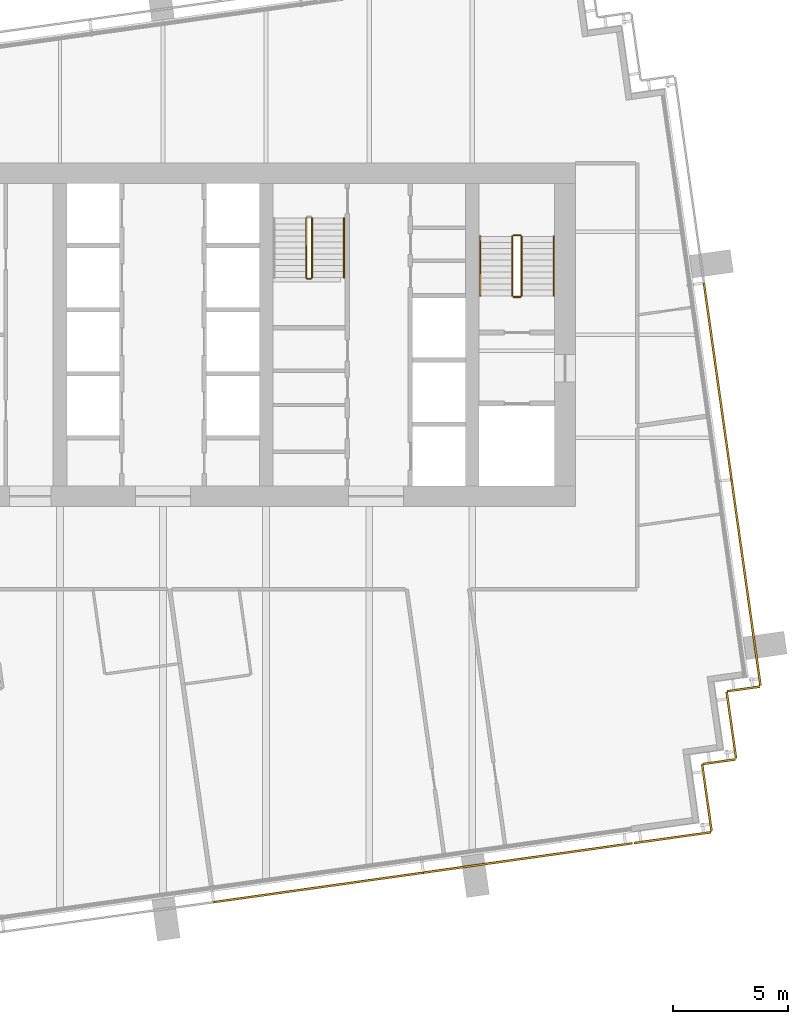
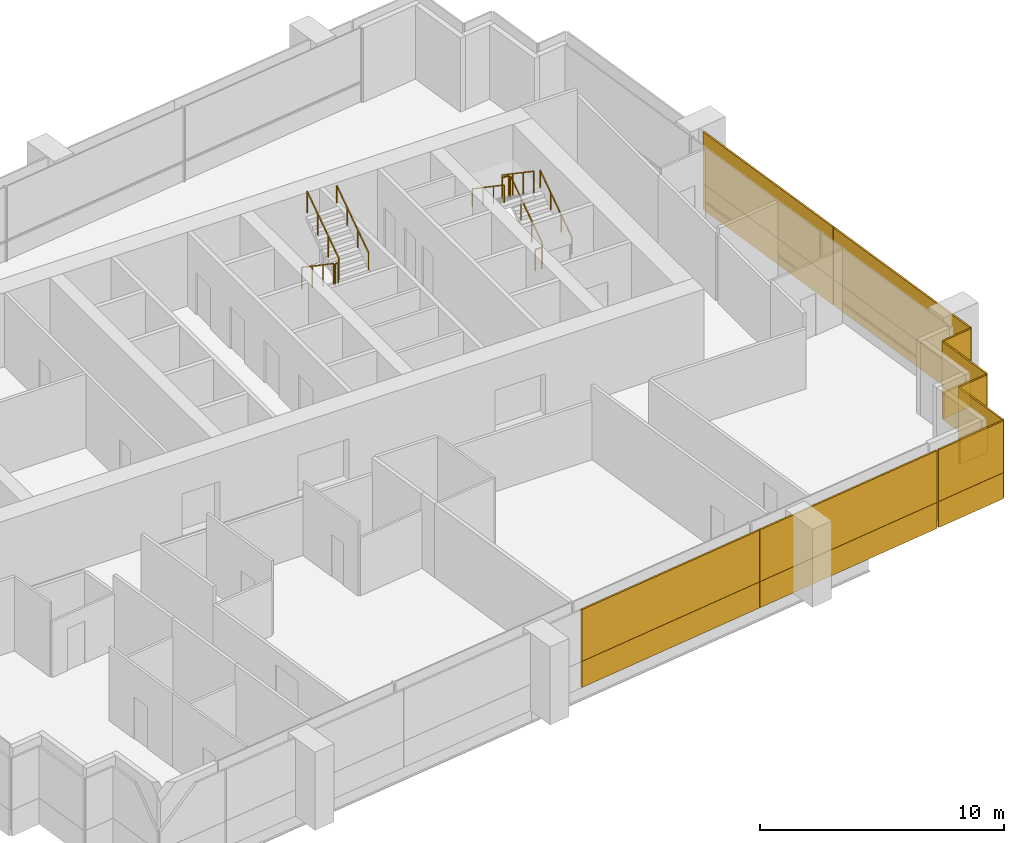
# One storey, part 13 of 15: 18 coverings, 10 railings.
"""IFC4 building model written with IfcOpenShell, lengths in metres."""

from ifc_helpers import new_model, si_unit, direction, frame, origin, origin_2d, place, context, subcontext, project, spatial, rectangle, extrude, material, layer, layer_set, type_object, element, save


model = new_model("IFC4")

# Units and contexts
model_context = context("Model", 3, precision=1e-05, world=origin(), true_north=direction((0.0, 1.0)))
body_context = subcontext(model_context, "Body", "Model", "MODEL_VIEW")
ifc_project = project(units=[si_unit("LENGTHUNIT", "METRE"), si_unit("AREAUNIT", "SQUARE_METRE"), si_unit("VOLUMEUNIT", "CUBIC_METRE"), si_unit("PLANEANGLEUNIT", "RADIAN"), si_unit("MASSUNIT", "GRAM", prefix="KILO")], contexts=[model_context])

# Site, building, storey
site_placement = place(None, origin())
site = spatial("IfcSite", under=ifc_project, at=site_placement, CompositionType="ELEMENT")
building_placement = place(site_placement, origin())
building = spatial("IfcBuilding", under=site, at=building_placement, Name="Rattan Terrace Tower", CompositionType="ELEMENT")
storey_placement = place(building_placement, frame((0.0, 0.0, 274.60009765625)))
storey = spatial("IfcBuildingStorey", under=building, at=storey_placement, Name="L63", CompositionType="ELEMENT", Elevation=274.60009765625)

# Railings
ifc_material_1 = material(Name="Powder-coated steel guard", Category="steel")
railing_type_1 = type_object("IfcRailingType", Name="Core stair guard", PredefinedType="GUARDRAIL", material=ifc_material_1)
railing_1_placement = place(storey_placement, frame((15.64990234375, 1.699951171875, 0.17724609375)))
element("IfcRailing", 1, at=railing_1_placement, inside=storey, type_object=railing_type_1, Name="L63 S2 stair guard 1", PredefinedType="GUARDRAIL", context=body_context, shape_type="SweptSolid", body=[
    extrude(rectangle(XDim=0.048095703125, YDim=0.048095703125, at=origin_2d()), frame((0.0, 0.0, 1.076171875), z_axis=(0.0, 0.826240473404, 0.563317565952), x_axis=(-1.0, 0.0, 0.0)), (0.0, 0.0, 1.0), 3.14697265625),
    extrude(rectangle(XDim=0.0419921875, YDim=0.0419921875, at=origin_2d()), origin(), (0.0, 0.0, 1.0), 1.052001953125),
    extrude(rectangle(XDim=0.0419921875, YDim=0.0419921875, at=origin_2d()), frame((0.0, 0.86669921875, 0.5908203125)), (0.0, 0.0, 1.0), 1.052001953125),
    extrude(rectangle(XDim=0.0419921875, YDim=0.0419921875, at=origin_2d()), frame((0.0, 1.7333984375, 1.181884765625)), (0.0, 0.0, 1.0), 1.052001953125),
    extrude(rectangle(XDim=0.0419921875, YDim=0.0419921875, at=origin_2d()), frame((0.0, 2.60009765625, 1.772705078125)), (0.0, 0.0, 1.0), 1.052001953125),
])
railing_2_placement = place(storey_placement, frame((15.60009765625, 4.35009765625, 1.949951171875)))
element("IfcRailing", 2, at=railing_2_placement, inside=storey, type_object=railing_type_1, Name="L63 S2 stair guard 2", PredefinedType="GUARDRAIL", context=body_context, shape_type="SweptSolid", body=[
    extrude(rectangle(XDim=0.048095703125, YDim=0.048095703125, at=origin_2d()), frame((0.0, 0.0, 1.076171875), z_axis=(-1.0, 0.0, 0.0), x_axis=(0.0, -1.0, 0.0)), (0.0, 0.0, 1.0), 0.300048828125),
    extrude(rectangle(XDim=0.0419921875, YDim=0.0419921875, at=origin_2d()), origin(), (0.0, 0.0, 1.0), 1.052001953125),
    extrude(rectangle(XDim=0.0419921875, YDim=0.0419921875, at=origin_2d()), frame((-0.300048828125, 0.0, 0.0)), (0.0, 0.0, 1.0), 1.052001953125),
])
railing_3_placement = place(storey_placement, frame((15.25, 4.300048828125, 2.127197265625)))
element("IfcRailing", 3, at=railing_3_placement, inside=storey, type_object=railing_type_1, Name="L63 S2 stair guard 3", PredefinedType="GUARDRAIL", context=body_context, shape_type="SweptSolid", body=[
    extrude(rectangle(XDim=0.048095703125, YDim=0.048095703125, at=origin_2d()), frame((0.0, 0.0, 1.076171875), z_axis=(0.0, -0.826240473404, 0.563317565952), x_axis=(1.0, 0.0, 0.0)), (0.0, 0.0, 1.0), 3.14697265625),
    extrude(rectangle(XDim=0.0419921875, YDim=0.0419921875, at=origin_2d()), origin(), (0.0, 0.0, 1.0), 1.052001953125),
    extrude(rectangle(XDim=0.0419921875, YDim=0.0419921875, at=origin_2d()), frame((0.0, -0.86669921875, 0.5908203125)), (0.0, 0.0, 1.0), 1.052001953125),
    extrude(rectangle(XDim=0.0419921875, YDim=0.0419921875, at=origin_2d()), frame((0.0, -1.7333984375, 1.181884765625)), (0.0, 0.0, 1.0), 1.052001953125),
    extrude(rectangle(XDim=0.0419921875, YDim=0.0419921875, at=origin_2d()), frame((0.0, -2.60009765625, 1.772705078125)), (0.0, 0.0, 1.0), 1.052001953125),
])
railing_4_placement = place(storey_placement, frame((15.60009765625, 1.64990234375, 0.0)))
element("IfcRailing", 4, at=railing_4_placement, inside=storey, type_object=railing_type_1, Name="L63 S2 stair guard 4", PredefinedType="GUARDRAIL", context=body_context, shape_type="SweptSolid", body=[
    extrude(rectangle(XDim=0.048095703125, YDim=0.048095703125, at=origin_2d()), frame((0.0, 0.0, 1.076171875), z_axis=(-1.0, 0.0, 0.0), x_axis=(0.0, -1.0, 0.0)), (0.0, 0.0, 1.0), 0.300048828125),
    extrude(rectangle(XDim=0.0419921875, YDim=0.0419921875, at=origin_2d()), origin(), (0.0, 0.0, 1.0), 1.052001953125),
    extrude(rectangle(XDim=0.0419921875, YDim=0.0419921875, at=origin_2d()), frame((-0.300048828125, 0.0, 0.0)), (0.0, 0.0, 1.0), 1.052001953125),
])
railing_5_placement = place(storey_placement, frame((6.25, 5.10009765625, 0.17724609375)))
element("IfcRailing", 5, at=railing_5_placement, inside=storey, type_object=railing_type_1, Name="L63 S3 stair guard 1", PredefinedType="GUARDRAIL", context=body_context, shape_type="SweptSolid", body=[
    extrude(rectangle(XDim=0.048095703125, YDim=0.048095703125, at=origin_2d()), frame((0.0, 0.0, 1.076171875), z_axis=(0.0, -0.826240473404, 0.563317565952), x_axis=(1.0, 0.0, 0.0)), (0.0, 0.0, 1.0), 3.14697265625),
    extrude(rectangle(XDim=0.0419921875, YDim=0.0419921875, at=origin_2d()), origin(), (0.0, 0.0, 1.0), 1.052001953125),
    extrude(rectangle(XDim=0.0419921875, YDim=0.0419921875, at=origin_2d()), frame((0.0, -0.86669921875, 0.5908203125)), (0.0, 0.0, 1.0), 1.052001953125),
    extrude(rectangle(XDim=0.0419921875, YDim=0.0419921875, at=origin_2d()), frame((0.0, -1.7333984375, 1.181884765625)), (0.0, 0.0, 1.0), 1.052001953125),
    extrude(rectangle(XDim=0.0419921875, YDim=0.0419921875, at=origin_2d()), frame((0.0, -2.60009765625, 1.772705078125)), (0.0, 0.0, 1.0), 1.052001953125),
])
railing_6_placement = place(storey_placement, frame((6.300048828125, 2.449951171875, 1.949951171875)))
element("IfcRailing", 6, at=railing_6_placement, inside=storey, type_object=railing_type_1, Name="L63 S3 stair guard 2", PredefinedType="GUARDRAIL", context=body_context, shape_type="SweptSolid", body=[
    extrude(rectangle(XDim=0.048095703125, YDim=0.048095703125, at=origin_2d()), frame((0.0, 0.0, 1.076171875), z_axis=(1.0, 0.0, 0.0), x_axis=(0.0, 1.0, 0.0)), (0.0, 0.0, 1.0), 0.14990234375),
    extrude(rectangle(XDim=0.0419921875, YDim=0.0419921875, at=origin_2d()), origin(), (0.0, 0.0, 1.0), 1.052001953125),
    extrude(rectangle(XDim=0.0419921875, YDim=0.0419921875, at=origin_2d()), frame((0.14990234375, 0.0, 0.0)), (0.0, 0.0, 1.0), 1.052001953125),
])
railing_7_placement = place(storey_placement, frame((6.5, 2.5, 2.127197265625)))
element("IfcRailing", 7, at=railing_7_placement, inside=storey, type_object=railing_type_1, Name="L63 S3 stair guard 3", PredefinedType="GUARDRAIL", context=body_context, shape_type="SweptSolid", body=[
    extrude(rectangle(XDim=0.048095703125, YDim=0.048095703125, at=origin_2d()), frame((0.0, 0.0, 1.076171875), z_axis=(0.0, 0.826240473404, 0.563317565952), x_axis=(-1.0, 0.0, 0.0)), (0.0, 0.0, 1.0), 3.14697265625),
    extrude(rectangle(XDim=0.0419921875, YDim=0.0419921875, at=origin_2d()), origin(), (0.0, 0.0, 1.0), 1.052001953125),
    extrude(rectangle(XDim=0.0419921875, YDim=0.0419921875, at=origin_2d()), frame((0.0, 0.86669921875, 0.5908203125)), (0.0, 0.0, 1.0), 1.052001953125),
    extrude(rectangle(XDim=0.0419921875, YDim=0.0419921875, at=origin_2d()), frame((0.0, 1.7333984375, 1.181884765625)), (0.0, 0.0, 1.0), 1.052001953125),
    extrude(rectangle(XDim=0.0419921875, YDim=0.0419921875, at=origin_2d()), frame((0.0, 2.60009765625, 1.772705078125)), (0.0, 0.0, 1.0), 1.052001953125),
])
ifc_material_2 = material(Name="Powder-coated steel handrail", Category="steel")
railing_type_2 = type_object("IfcRailingType", Name="Core stair handrail", PredefinedType="HANDRAIL", material=ifc_material_2)
railing_8_placement = place(storey_placement, frame((17.050048828125, 1.699951171875, 0.17724609375)))
element("IfcRailing", 8, at=railing_8_placement, inside=storey, type_object=railing_type_2, Name="L63 S2 stair handrail 1", PredefinedType="HANDRAIL", context=body_context, shape_type="SweptSolid", body=[
    extrude(rectangle(XDim=0.048095703125, YDim=0.048095703125, at=origin_2d()), frame((0.0, 0.0, 0.8759765625), z_axis=(0.0, 0.826240473404, 0.563317565952), x_axis=(-1.0, 0.0, 0.0)), (0.0, 0.0, 1.0), 3.14697265625),
    extrude(rectangle(XDim=0.0419921875, YDim=0.0419921875, at=origin_2d()), origin(), (0.0, 0.0, 1.0), 0.851806640625),
    extrude(rectangle(XDim=0.0419921875, YDim=0.0419921875, at=origin_2d()), frame((0.0, 0.86669921875, 0.5908203125)), (0.0, 0.0, 1.0), 0.851806640625),
    extrude(rectangle(XDim=0.0419921875, YDim=0.0419921875, at=origin_2d()), frame((0.0, 1.7333984375, 1.181884765625)), (0.0, 0.0, 1.0), 0.851806640625),
    extrude(rectangle(XDim=0.0419921875, YDim=0.0419921875, at=origin_2d()), frame((0.0, 2.60009765625, 1.772705078125)), (0.0, 0.0, 1.0), 0.851806640625),
])
railing_9_placement = place(storey_placement, frame((13.85009765625, 4.300048828125, 2.127197265625)))
element("IfcRailing", 9, at=railing_9_placement, inside=storey, type_object=railing_type_2, Name="L63 S2 stair handrail 2", PredefinedType="HANDRAIL", context=body_context, shape_type="SweptSolid", body=[
    extrude(rectangle(XDim=0.048095703125, YDim=0.048095703125, at=origin_2d()), frame((0.0, 0.0, 0.8759765625), z_axis=(0.0, -0.826240473404, 0.563317565952), x_axis=(1.0, 0.0, 0.0)), (0.0, 0.0, 1.0), 3.14697265625),
    extrude(rectangle(XDim=0.0419921875, YDim=0.0419921875, at=origin_2d()), origin(), (0.0, 0.0, 1.0), 0.851806640625),
    extrude(rectangle(XDim=0.0419921875, YDim=0.0419921875, at=origin_2d()), frame((0.0, -0.86669921875, 0.5908203125)), (0.0, 0.0, 1.0), 0.851806640625),
    extrude(rectangle(XDim=0.0419921875, YDim=0.0419921875, at=origin_2d()), frame((0.0, -1.7333984375, 1.181884765625)), (0.0, 0.0, 1.0), 0.851806640625),
    extrude(rectangle(XDim=0.0419921875, YDim=0.0419921875, at=origin_2d()), frame((0.0, -2.60009765625, 1.772705078125)), (0.0, 0.0, 1.0), 0.851806640625),
])
railing_10_placement = place(storey_placement, frame((7.89990234375, 2.5, 2.127197265625)))
element("IfcRailing", 10, at=railing_10_placement, inside=storey, type_object=railing_type_2, Name="L63 S3 stair handrail 2", PredefinedType="HANDRAIL", context=body_context, shape_type="SweptSolid", body=[
    extrude(rectangle(XDim=0.048095703125, YDim=0.048095703125, at=origin_2d()), frame((0.0, 0.0, 0.8759765625), z_axis=(0.0, 0.826240473404, 0.563317565952), x_axis=(-1.0, 0.0, 0.0)), (0.0, 0.0, 1.0), 3.14697265625),
    extrude(rectangle(XDim=0.0419921875, YDim=0.0419921875, at=origin_2d()), origin(), (0.0, 0.0, 1.0), 0.851806640625),
    extrude(rectangle(XDim=0.0419921875, YDim=0.0419921875, at=origin_2d()), frame((0.0, 0.86669921875, 0.5908203125)), (0.0, 0.0, 1.0), 0.851806640625),
    extrude(rectangle(XDim=0.0419921875, YDim=0.0419921875, at=origin_2d()), frame((0.0, 1.7333984375, 1.181884765625)), (0.0, 0.0, 1.0), 0.851806640625),
    extrude(rectangle(XDim=0.0419921875, YDim=0.0419921875, at=origin_2d()), frame((0.0, 2.60009765625, 1.772705078125)), (0.0, 0.0, 1.0), 0.851806640625),
])

# Coverings
ifc_material_3 = material(Name="Solid terracotta", Category="masonry")
ifc_layer_1 = layer(ifc_material_3, 0.090087890625)
ifc_layer_set_1 = layer_set([ifc_layer_1], Name="Facade Terracotta Band Panel HZ")
covering_type_1 = type_object("IfcCoveringType", Name="Facade Terracotta Band Panel HZ", PredefinedType="CLADDING", material=ifc_layer_set_1)
covering_1_placement = place(storey_placement, frame((22.237060546875, -21.960693359375, -0.18994140625), z_axis=(0.0, 0.0, 1.0), x_axis=(0.990293172258, 0.138994363123, 0.0)))
element("IfcCovering", 11, at=covering_1_placement, inside=storey, type_object=covering_type_1, Name="OUTER SKIN panel L63-1A", PredefinedType="CLADDING", context=body_context, shape_type="SweptSolid", body=[
    extrude(rectangle(XDim=3.3701171875, YDim=0.090087890625, at=origin_2d()), origin(), (0.0, 0.0, 1.0), 1.300048828125),
])
covering_2_placement = place(storey_placement, frame((23.74951171875, -20.218505859375, -0.18994140625), z_axis=(0.0, 0.0, 1.0), x_axis=(-0.138994363123, 0.990293172258, 0.0)))
element("IfcCovering", 12, at=covering_2_placement, inside=storey, type_object=covering_type_1, Name="OUTER SKIN panel L63-2A", PredefinedType="CLADDING", context=body_context, shape_type="SweptSolid", body=[
    extrude(rectangle(XDim=2.92041015625, YDim=0.090087890625, at=origin_2d()), origin(), (0.0, 0.0, 1.0), 1.300048828125),
])
covering_3_placement = place(storey_placement, frame((24.270751953125, -18.645263671875, -0.18994140625), z_axis=(0.0, 0.0, 1.0), x_axis=(0.990240767803, 0.139367219175, 0.0)))
element("IfcCovering", 13, at=covering_3_placement, inside=storey, type_object=covering_type_1, Name="OUTER SKIN panel L63-3A", PredefinedType="CLADDING", context=body_context, shape_type="SweptSolid", body=[
    extrude(rectangle(XDim=1.419921875, YDim=0.090087890625, at=origin_2d()), origin(), (0.0, 0.0, 1.0), 1.300048828125),
])
covering_4_placement = place(storey_placement, frame((24.817138671875, -17.038818359375, -0.18994140625), z_axis=(0.0, 0.0, 1.0), x_axis=(-0.139367219175, 0.990240767803, 0.0)))
element("IfcCovering", 14, at=covering_4_placement, inside=storey, type_object=covering_type_1, Name="OUTER SKIN panel L63-4A", PredefinedType="CLADDING", context=body_context, shape_type="SweptSolid", body=[
    extrude(rectangle(XDim=2.919189453125, YDim=0.090087890625, at=origin_2d()), origin(), (0.0, 0.0, 1.0), 1.300048828125),
])
covering_5_placement = place(storey_placement, frame((25.33837890625, -15.46630859375, -0.18994140625), z_axis=(0.0, 0.0, 1.0), x_axis=(0.99025370695, 0.139275252184, 0.0)))
element("IfcCovering", 15, at=covering_5_placement, inside=storey, type_object=covering_type_1, Name="OUTER SKIN panel L63-5A", PredefinedType="CLADDING", context=body_context, shape_type="SweptSolid", body=[
    extrude(rectangle(XDim=1.420654296875, YDim=0.090087890625, at=origin_2d()), origin(), (0.0, 0.0, 1.0), 1.300048828125),
])
covering_6_placement = place(storey_placement, frame((25.45751953125, -10.81591796875, -0.18994140625), z_axis=(0.0, 0.0, 1.0), x_axis=(-0.139191775431, 0.990265444036, 0.0)))
element("IfcCovering", 16, at=covering_6_placement, inside=storey, type_object=covering_type_1, Name="OUTER SKIN panel L63-6A", PredefinedType="CLADDING", context=body_context, shape_type="SweptSolid", body=[
    extrude(rectangle(XDim=9.06689453125, YDim=0.090087890625, at=origin_2d()), origin(), (0.0, 0.0, 1.0), 1.300048828125),
])
covering_7_placement = place(storey_placement, frame((24.221923828125, -2.025390625, -0.18994140625), z_axis=(0.0, 0.0, 1.0), x_axis=(-0.139191775431, 0.990265444036, 0.0)))
element("IfcCovering", 17, at=covering_7_placement, inside=storey, type_object=covering_type_1, Name="OUTER SKIN panel L63-7A", PredefinedType="CLADDING", context=body_context, shape_type="SweptSolid", body=[
    extrude(rectangle(XDim=8.64697265625, YDim=0.090087890625, at=origin_2d()), origin(), (0.0, 0.0, 1.0), 1.300048828125),
])
covering_8_placement = place(storey_placement, frame((6.7861328125, -24.132080078125, -0.18994140625), z_axis=(0.0, 0.0, 1.0), x_axis=(0.990265894013, 0.139188574079, 0.0)))
element("IfcCovering", 18, at=covering_8_placement, inside=storey, type_object=covering_type_1, Name="OUTER SKIN panel L63-33A", PredefinedType="CLADDING", context=body_context, shape_type="SweptSolid", body=[
    extrude(rectangle(XDim=9.22900390625, YDim=0.090087890625, at=origin_2d()), origin(), (0.0, 0.0, 1.0), 1.300048828125),
])
covering_9_placement = place(storey_placement, frame((15.932373046875, -22.846435546875, -0.18994140625), z_axis=(0.0, 0.0, 1.0), x_axis=(0.990265894013, 0.139188574079, 0.0)))
element("IfcCovering", 19, at=covering_9_placement, inside=storey, type_object=covering_type_1, Name="OUTER SKIN panel L63-34A", PredefinedType="CLADDING", context=body_context, shape_type="SweptSolid", body=[
    extrude(rectangle(XDim=9.203125, YDim=0.090087890625, at=origin_2d()), origin(), (0.0, 0.0, 1.0), 1.300048828125),
])
ifc_material_4 = material(Name="Perforated terracotta", Category="masonry")
ifc_layer_2 = layer(ifc_material_4, 0.080078125)
ifc_layer_set_2 = layer_set([ifc_layer_2], Name="Facade Terracotta Screen Panel HZ")
covering_type_2 = type_object("IfcCoveringType", Name="Facade Terracotta Screen Panel HZ", PredefinedType="CLADDING", material=ifc_layer_set_2)
covering_10_placement = place(storey_placement, frame((22.236328125, -21.955810546875, 1.10986328125), z_axis=(0.0, 0.0, 1.0), x_axis=(0.990293172258, 0.138994363123, 0.0)))
element("IfcCovering", 20, at=covering_10_placement, inside=storey, type_object=covering_type_2, Name="OUTER SKIN panel L63-1B", PredefinedType="CLADDING", context=body_context, shape_type="SweptSolid", body=[
    extrude(rectangle(XDim=3.3701171875, YDim=0.080078125, at=origin_2d()), origin(), (0.0, 0.0, 1.0), 2.580078125),
])
covering_11_placement = place(storey_placement, frame((23.74462890625, -20.218994140625, 1.10986328125), z_axis=(0.0, 0.0, 1.0), x_axis=(-0.138994363123, 0.990293172258, 0.0)))
element("IfcCovering", 21, at=covering_11_placement, inside=storey, type_object=covering_type_2, Name="OUTER SKIN panel L63-2B", PredefinedType="CLADDING", context=body_context, shape_type="SweptSolid", body=[
    extrude(rectangle(XDim=2.92041015625, YDim=0.080078125, at=origin_2d()), origin(), (0.0, 0.0, 1.0), 2.580078125),
])
covering_12_placement = place(storey_placement, frame((24.27001953125, -18.640380859375, 1.10986328125), z_axis=(0.0, 0.0, 1.0), x_axis=(0.990240767803, 0.139367219175, 0.0)))
element("IfcCovering", 22, at=covering_12_placement, inside=storey, type_object=covering_type_2, Name="OUTER SKIN panel L63-3B", PredefinedType="CLADDING", context=body_context, shape_type="SweptSolid", body=[
    extrude(rectangle(XDim=1.419921875, YDim=0.080078125, at=origin_2d()), origin(), (0.0, 0.0, 1.0), 2.580078125),
])
covering_13_placement = place(storey_placement, frame((24.812255859375, -17.03955078125, 1.10986328125), z_axis=(0.0, 0.0, 1.0), x_axis=(-0.139367219175, 0.990240767803, 0.0)))
element("IfcCovering", 23, at=covering_13_placement, inside=storey, type_object=covering_type_2, Name="OUTER SKIN panel L63-4B", PredefinedType="CLADDING", context=body_context, shape_type="SweptSolid", body=[
    extrude(rectangle(XDim=2.919189453125, YDim=0.080078125, at=origin_2d()), origin(), (0.0, 0.0, 1.0), 2.580078125),
])
covering_14_placement = place(storey_placement, frame((25.337646484375, -15.46142578125, 1.10986328125), z_axis=(0.0, 0.0, 1.0), x_axis=(0.99025370695, 0.139275252184, 0.0)))
element("IfcCovering", 24, at=covering_14_placement, inside=storey, type_object=covering_type_2, Name="OUTER SKIN panel L63-5B", PredefinedType="CLADDING", context=body_context, shape_type="SweptSolid", body=[
    extrude(rectangle(XDim=1.420654296875, YDim=0.080078125, at=origin_2d()), origin(), (0.0, 0.0, 1.0), 2.580078125),
])
covering_15_placement = place(storey_placement, frame((25.45263671875, -10.816650390625, 1.10986328125), z_axis=(0.0, 0.0, 1.0), x_axis=(-0.139191775431, 0.990265444036, 0.0)))
element("IfcCovering", 25, at=covering_15_placement, inside=storey, type_object=covering_type_2, Name="OUTER SKIN panel L63-6B", PredefinedType="CLADDING", context=body_context, shape_type="SweptSolid", body=[
    extrude(rectangle(XDim=9.06689453125, YDim=0.080078125, at=origin_2d()), origin(), (0.0, 0.0, 1.0), 2.580078125),
])
covering_16_placement = place(storey_placement, frame((24.217041015625, -2.026123046875, 1.10986328125), z_axis=(0.0, 0.0, 1.0), x_axis=(-0.139191775431, 0.990265444036, 0.0)))
element("IfcCovering", 26, at=covering_16_placement, inside=storey, type_object=covering_type_2, Name="OUTER SKIN panel L63-7B", PredefinedType="CLADDING", context=body_context, shape_type="SweptSolid", body=[
    extrude(rectangle(XDim=8.64697265625, YDim=0.080078125, at=origin_2d()), origin(), (0.0, 0.0, 1.0), 2.580078125),
])
covering_17_placement = place(storey_placement, frame((6.785400390625, -24.127197265625, 1.10986328125), z_axis=(0.0, 0.0, 1.0), x_axis=(0.990265894013, 0.139188574079, 0.0)))
element("IfcCovering", 27, at=covering_17_placement, inside=storey, type_object=covering_type_2, Name="OUTER SKIN panel L63-33B", PredefinedType="CLADDING", context=body_context, shape_type="SweptSolid", body=[
    extrude(rectangle(XDim=9.22900390625, YDim=0.080078125, at=origin_2d()), origin(), (0.0, 0.0, 1.0), 2.580078125),
])
covering_18_placement = place(storey_placement, frame((15.931640625, -22.841552734375, 1.10986328125), z_axis=(0.0, 0.0, 1.0), x_axis=(0.990265894013, 0.139188574079, 0.0)))
element("IfcCovering", 28, at=covering_18_placement, inside=storey, type_object=covering_type_2, Name="OUTER SKIN panel L63-34B", PredefinedType="CLADDING", context=body_context, shape_type="SweptSolid", body=[
    extrude(rectangle(XDim=9.203125, YDim=0.080078125, at=origin_2d()), origin(), (0.0, 0.0, 1.0), 2.580078125),
])

save(model, "model.ifc")
